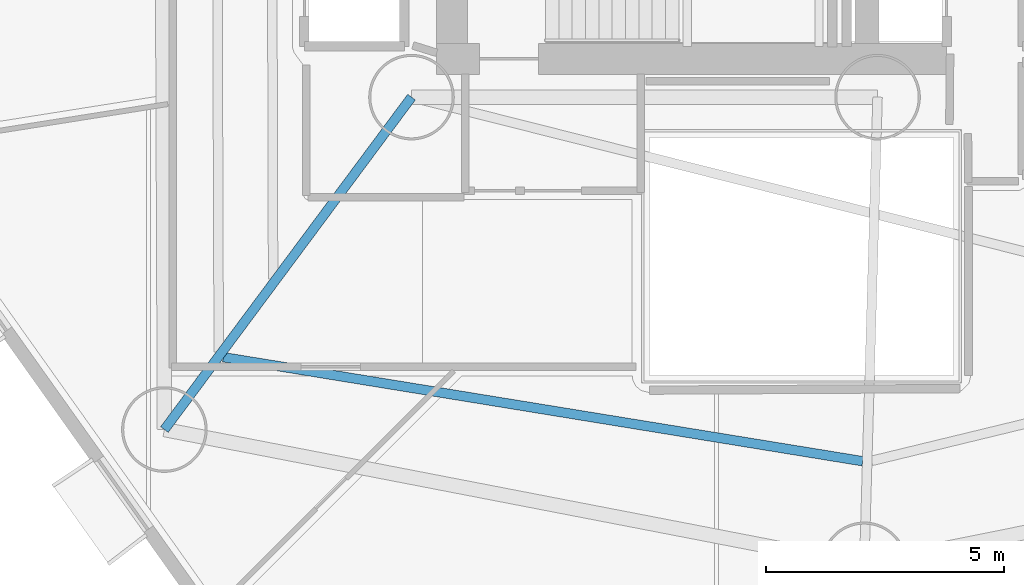
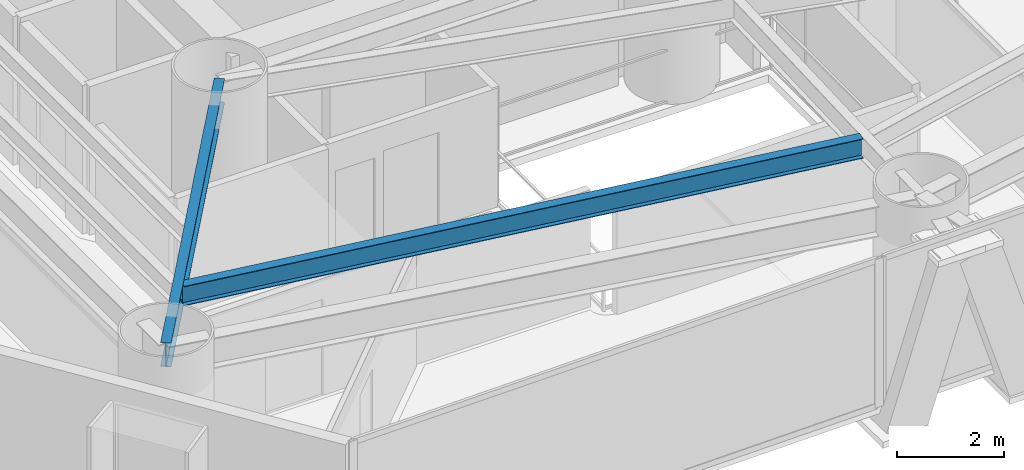
# One storey, part 3 of 22: 2 beams.
"""IFC4 building model written with IfcOpenShell, lengths in metres."""

from ifc_helpers import new_model, si_unit, direction, frame, origin, origin_2d, place, context, subcontext, project, spatial, i_section, extrude, material, material_profile, profile_set, type_object, element, save


model = new_model("IFC4")

# Units and contexts
model_context = context("Model", 3, precision=1e-05, world=origin(), true_north=direction((0.0, 1.0)))
body_context = subcontext(model_context, "Body", "Model", "MODEL_VIEW")
ifc_project = project(units=[si_unit("LENGTHUNIT", "METRE"), si_unit("AREAUNIT", "SQUARE_METRE"), si_unit("VOLUMEUNIT", "CUBIC_METRE"), si_unit("PLANEANGLEUNIT", "RADIAN"), si_unit("MASSUNIT", "GRAM", prefix="KILO")], contexts=[model_context])

# Site, building, storey
site_placement = place(None, origin())
site = spatial("IfcSite", under=ifc_project, at=site_placement, CompositionType="ELEMENT")
building_placement = place(site_placement, origin())
building = spatial("IfcBuilding", under=site, at=building_placement, Name="Qianvela Tower", CompositionType="ELEMENT")
storey_placement = place(building_placement, frame((0.0, 0.0, 44.199951171875)))
storey = spatial("IfcBuildingStorey", under=building, at=storey_placement, Name="L10", CompositionType="ELEMENT", Elevation=44.199951171875)

# Beams
ifc_material_1 = material(Name="Steel Q355B", Category="steel")
ifc_material_profile_1 = material_profile(ifc_material_1, i_section(OverallWidth=0.199951171875, OverallDepth=0.449951171875, WebThickness=0.009033203125, FlangeThickness=0.013916015625, at=origin_2d()), Name="HN450x200x9x14")
ifc_profile_set_1 = profile_set([ifc_material_profile_1], Name="Steel Q355B")
beam_type_1 = type_object("IfcBeamType", Name="BM-HN450-JOIST", PredefinedType="JOIST", material=ifc_profile_set_1)
beam_1_placement = place(storey_placement, frame((24.641845703125, 18.38232421875, 3.173095703125), z_axis=(0.987021609832, -0.160587489316, 0.0), x_axis=(0.160587489316, 0.987021609832, 0.0)))
element("IfcBeam", 1, at=beam_1_placement, inside=storey, type_object=beam_type_1, Name="L10 Secondary Composite Floor Joist 5.3", PredefinedType="JOIST", context=body_context, shape_type="SweptSolid", body=[
    extrude(i_section(OverallWidth=0.199951171875, OverallDepth=0.449951171875, WebThickness=0.009033203125, FlangeThickness=0.013916015625, at=origin_2d()), origin(), (0.0, 0.0, 1.0), 13.621826171875),
])
ifc_material_2 = material(Name="Steel Q355B", Category="steel")
ifc_material_profile_2 = material_profile(ifc_material_2, i_section(OverallWidth=0.199951171875, OverallDepth=0.550048828125, WebThickness=0.010009765625, FlangeThickness=0.01611328125, at=origin_2d()), Name="HN550x200x10x16")
ifc_profile_set_2 = profile_set([ifc_material_profile_2], Name="Steel Q355B")
beam_type_2 = type_object("IfcBeamType", Name="BM-HN550-GIRD", PredefinedType="BEAM", material=ifc_profile_set_2)
beam_2_placement = place(storey_placement, frame((28.60009765625, 23.85009765625, 3.123046875), z_axis=(-0.596581498031, -0.802552500593, 0.0), x_axis=(0.802552500593, -0.596581498031, 0.0)))
element("IfcBeam", 2, at=beam_2_placement, inside=storey, type_object=beam_type_2, Name="L10 Radial Primary Floor Girder 5", PredefinedType="BEAM", context=body_context, shape_type="SweptSolid", body=[
    extrude(i_section(OverallWidth=0.199951171875, OverallDepth=0.550048828125, WebThickness=0.010009765625, FlangeThickness=0.01611328125, at=origin_2d()), origin(), (0.0, 0.0, 1.0), 8.709716796875),
])

save(model, "model.ifc")
